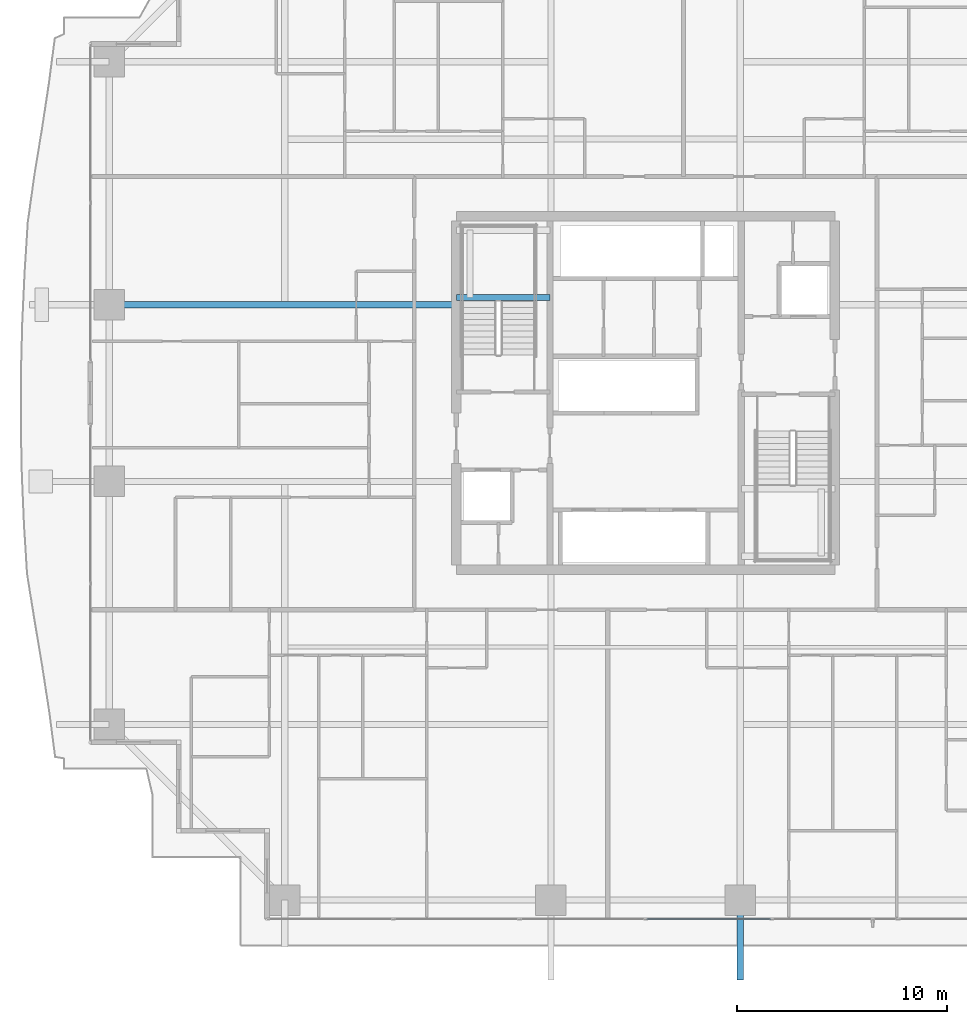
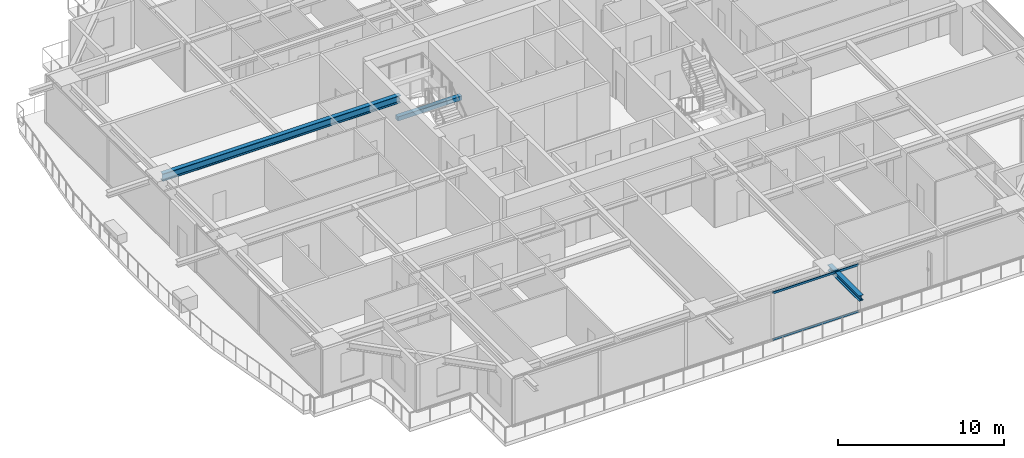
# One storey, part 9 of 36: 3 beams, 2 members, 1 element without a shape of its own.
"""IFC4 building model written with IfcOpenShell, lengths in metres."""

from ifc_helpers import new_model, si_unit, direction, frame, origin, origin_2d, place, context, subcontext, project, spatial, rectangle, hollow_rectangle, i_section, extrude, source, transform, mapped, material, layer, layer_set, material_profile, profile_set, type_object, element, aggregate, save


model = new_model("IFC4")

# Units and contexts
model_context = context("Model", 3, precision=1e-05, world=origin(), true_north=direction((0.0, 1.0)))
body_context = subcontext(model_context, "Body", "Model", "MODEL_VIEW")
ifc_project = project(units=[si_unit("LENGTHUNIT", "METRE"), si_unit("AREAUNIT", "SQUARE_METRE"), si_unit("VOLUMEUNIT", "CUBIC_METRE"), si_unit("PLANEANGLEUNIT", "RADIAN"), si_unit("MASSUNIT", "GRAM", prefix="KILO")], contexts=[model_context])

# Site, building, storey
site_placement = place(None, origin())
site = spatial("IfcSite", under=ifc_project, at=site_placement, CompositionType="ELEMENT")
building_placement = place(site_placement, origin())
building = spatial("IfcBuilding", under=site, at=building_placement, Name="Serunith Strait Residences", CompositionType="ELEMENT")
storey_placement = place(building_placement, frame((0.0, 0.0, 41.699951171875)))
storey = spatial("IfcBuildingStorey", under=building, at=storey_placement, Name="L09", CompositionType="ELEMENT", Elevation=41.699951171875)

# Beams
ifc_material_1 = material(Name="Steel S355J2", Category="steel")
ifc_material_profile_1 = material_profile(ifc_material_1, i_section(OverallWidth=0.300048828125, OverallDepth=0.550048828125, WebThickness=0.014892578125, FlangeThickness=0.029052734375, FilletRadius=0.027099609375, at=origin_2d()), Name="HEB 550")
ifc_profile_set_1 = profile_set([ifc_material_profile_1], Name="Steel S355J2")
beam_type_1 = type_object("IfcBeamType", Name="BM-HEB550", PredefinedType="BEAM", material=ifc_profile_set_1)
shared_shape_1 = source(origin(), body_context, "Body", "SweptSolid", [
    extrude(i_section(OverallWidth=0.300048828125, OverallDepth=0.550048828125, WebThickness=0.014892578125, FlangeThickness=0.029052734375, FilletRadius=0.027099609375, at=origin_2d()), origin(), (0.0, 0.0, 1.0), 16.5),
])
beam_1_placement = place(storey_placement, frame((23.39990234375, 29.39990234375, 3.212158203125), z_axis=(-1.0, 0.0, 0.0), x_axis=(0.0, -1.0, 0.0)))
element("IfcBeam", 1, at=beam_1_placement, inside=storey, type_object=beam_type_1, Name="L09 Primary Floor Girder TC-W3", PredefinedType="BEAM", context=body_context, shape_type="MappedRepresentation", body=[
    mapped(shared_shape_1, transform((0.0, 0.0, 0.0), scale=1.0)),
])
ifc_material_profile_2 = material_profile(ifc_material_1, i_section(OverallWidth=0.300048828125, OverallDepth=0.39990234375, WebThickness=0.013427734375, FlangeThickness=0.02392578125, FilletRadius=0.027099609375, at=origin_2d()), Name="HEB 400")
ifc_profile_set_2 = profile_set([ifc_material_profile_2], Name="Steel S355J2")
beam_type_2 = type_object("IfcBeamType", Name="BM-HEB400", PredefinedType="BEAM", material=ifc_profile_set_2)
shared_shape_2 = source(origin(), body_context, "Body", "SweptSolid", [
    extrude(i_section(OverallWidth=0.300048828125, OverallDepth=0.39990234375, WebThickness=0.013427734375, FlangeThickness=0.02392578125, FilletRadius=0.027099609375, at=origin_2d()), origin(), (0.0, 0.0, 1.0), 3.800048828125),
])
beam_2_placement = place(storey_placement, frame((36.89990234375, 1.10009765625, 3.257080078125), z_axis=(0.0, -1.0, 0.0), x_axis=(1.0, 0.0, 0.0)))
element("IfcBeam", 2, at=beam_2_placement, inside=storey, type_object=beam_type_2, Name="L10 Cantilevered Balcony Rib TC-S3", PredefinedType="BEAM", context=body_context, shape_type="MappedRepresentation", body=[
    mapped(shared_shape_2, transform((0.0, 0.0, 0.0), scale=1.0)),
])
ifc_material_2 = material(Name="Concrete C60/75", Category="concrete")
ifc_material_profile_3 = material_profile(ifc_material_2, rectangle(XDim=0.300048828125, YDim=0.300048828125, at=origin_2d()), Name="RC 300x300")
ifc_profile_set_3 = profile_set([ifc_material_profile_3], Name="Concrete C60/75")
beam_type_3 = type_object("IfcBeamType", Name="BM-LAND-300x300", PredefinedType="BEAM", material=ifc_profile_set_3)
shared_shape_3 = source(origin(), body_context, "Body", "SweptSolid", [
    extrude(rectangle(XDim=0.300048828125, YDim=0.300048828125, at=origin_2d()), origin(), (0.0, 0.0, 1.0), 4.4501953125),
])
beam_3_placement = place(storey_placement, frame((23.39990234375, 29.75, 1.525146484375), z_axis=(1.0, 0.0, 0.0), x_axis=(0.0, 1.0, 0.0)))
element("IfcBeam", 3, at=beam_3_placement, inside=storey, type_object=beam_type_3, Name="L09 ST-1 Landing Support Beam 1", PredefinedType="BEAM", context=body_context, shape_type="MappedRepresentation", body=[
    mapped(shared_shape_3, transform((0.0, 0.0, 0.0), scale=1.0)),
])

# Curtain wall, members
ifc_material_3 = material(Name="Pale-Champagne Anodised Aluminium", Category="aluminium")
ifc_layer = layer(ifc_material_3, 0.199951171875, Name="Pale-Champagne Anodised Aluminium")
ifc_layer_set = layer_set([ifc_layer], Name="Pale-Champagne Anodised Aluminium")
curtain_wall_type = type_object("IfcCurtainWallType", Name="CW-SYS1", PredefinedType="NOTDEFINED", material=ifc_layer_set)
curtain_wall_placement = place(storey_placement, origin())
curtain_wall = element("IfcCurtainWall", 4, at=curtain_wall_placement, inside=storey, type_object=curtain_wall_type, Name="L09 S Unitised Fritted Curtain Wall", PredefinedType="NOTDEFINED")
ifc_material_profile_4 = material_profile(ifc_material_3, hollow_rectangle(XDim=0.06005859375, YDim=0.159912109375, WallThickness=0.00341796875, InnerFilletRadius=0.00537109375, OuterFilletRadius=0.0087890625, at=origin_2d()), Name="ALU 160x60x3.5")
ifc_profile_set_4 = profile_set([ifc_material_profile_4], Name="Pale-Champagne Anodised Aluminium")
member_type = type_object("IfcMemberType", Name="CW-SYS1-TRAN", PredefinedType="USERDEFINED", material=ifc_profile_set_4)
shared_shape_4 = source(origin(), body_context, "Body", "SweptSolid", [
    extrude(hollow_rectangle(XDim=0.06005859375, YDim=0.159912109375, WallThickness=0.00341796875, InnerFilletRadius=0.00537109375, OuterFilletRadius=0.0087890625, at=origin_2d()), origin(), (0.0, 0.0, 1.0), 5.929931640625),
])
member_1_placement = place(storey_placement, frame((32.43505859375, 0.199951171875, 0.030029296875), z_axis=(1.0, 0.0, 0.0), x_axis=(0.0, 1.0, 0.0)))
member_1 = element("IfcMember", 5, at=member_1_placement, type_object=member_type, Name="CW-1 transom 4.1", ObjectType="TRANSOM", PredefinedType="USERDEFINED", context=body_context, shape_type="MappedRepresentation", body=[
    mapped(shared_shape_4, transform((0.0, 0.0, 0.0), scale=1.0)),
])
member_2_placement = place(storey_placement, frame((32.43505859375, 0.199951171875, 3.445068359375), z_axis=(1.0, 0.0, 0.0), x_axis=(0.0, 1.0, 0.0)))
member_2 = element("IfcMember", 6, at=member_2_placement, type_object=member_type, Name="CW-1 transom 4.2", ObjectType="TRANSOM", PredefinedType="USERDEFINED", context=body_context, shape_type="MappedRepresentation", body=[
    mapped(shared_shape_4, transform((0.0, 0.0, 0.0), scale=1.0)),
])
aggregate(curtain_wall, [member_1, member_2])

save(model, "model.ifc")
